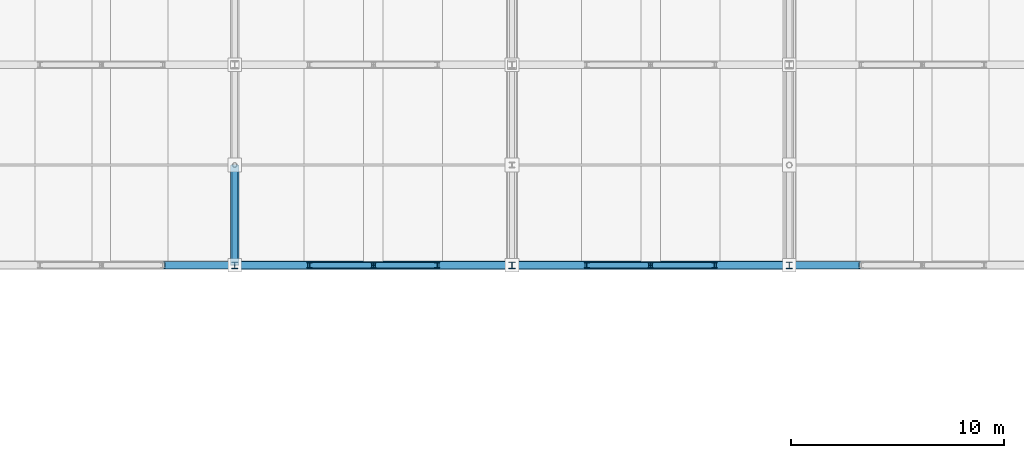
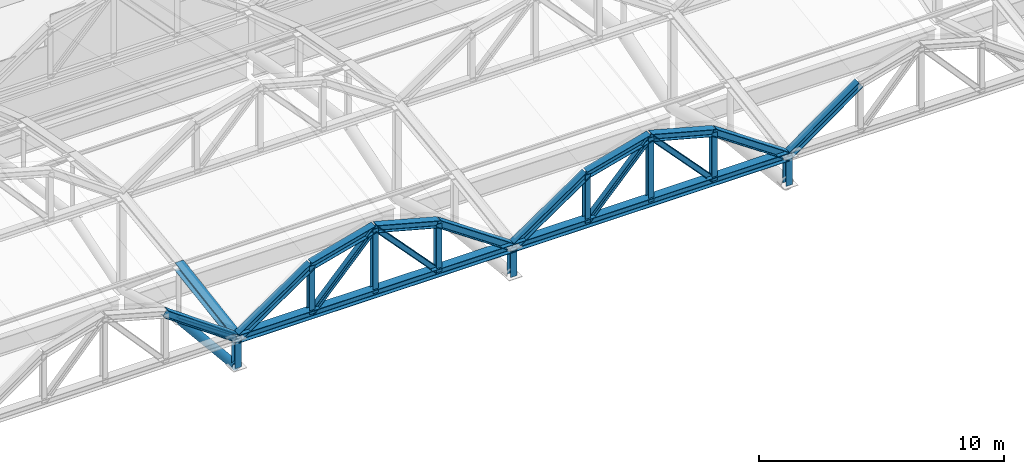
# One storey, part 48 of 117: 28 members.
"""IFC4 building model written with IfcOpenShell, lengths in metres."""

from ifc_helpers import new_model, si_unit, direction, frame, origin, origin_2d, place, context, subcontext, project, spatial, hollow_circle, i_section, extrude, material, material_profile, profile_set, type_object, element, save


model = new_model("IFC4")

# Units and contexts
model_context = context("Model", 3, precision=1e-05, world=origin(), true_north=direction((0.0, 1.0)))
body_context = subcontext(model_context, "Body", "Model", "MODEL_VIEW")
ifc_project = project(units=[si_unit("LENGTHUNIT", "METRE"), si_unit("AREAUNIT", "SQUARE_METRE"), si_unit("VOLUMEUNIT", "CUBIC_METRE"), si_unit("PLANEANGLEUNIT", "RADIAN"), si_unit("MASSUNIT", "GRAM", prefix="KILO")], contexts=[model_context])

# Site, building, storey
site_placement = place(None, origin())
site = spatial("IfcSite", under=ifc_project, at=site_placement, CompositionType="ELEMENT")
building_placement = place(site_placement, origin())
building = spatial("IfcBuilding", under=site, at=building_placement, Name="Kazenohara Klinker Stadium", CompositionType="ELEMENT")
storey_placement = place(building_placement, frame((0.0, 0.0, 31.199951171875)))
storey = spatial("IfcBuildingStorey", under=building, at=storey_placement, Name="RF", CompositionType="ELEMENT", Elevation=31.199951171875)

# Members
ifc_material = material(Name="Steel S355", Category="steel")
ifc_material_profile_1 = material_profile(ifc_material, i_section(OverallWidth=0.25, OverallDepth=0.25, WebThickness=0.009033203125, FlangeThickness=0.013916015625, FilletRadius=0.012939453125, at=origin_2d()), Name="H-250x250x9x14")
ifc_profile_set_1 = profile_set([ifc_material_profile_1], Name="Steel S355")
member_type_1 = type_object("IfcMemberType", Name="MEM-BRC02", PredefinedType="BRACE", material=ifc_profile_set_1)
member_1_placement = place(storey_placement, frame((99.0, 127.300048828125, 1.35009765625), z_axis=(0.0, -0.923659284192, 0.383214726655), x_axis=(1.0, 0.0, 0.0)))
element("IfcMember", 1, at=member_1_placement, inside=storey, type_object=member_type_1, Name="ROOF TRUSS RT-N04 web diagonal 5", PredefinedType="BRACE", context=body_context, shape_type="SweptSolid", body=[
    extrude(i_section(OverallWidth=0.25, OverallDepth=0.25, WebThickness=0.009033203125, FlangeThickness=0.013916015625, FilletRadius=0.012939453125, at=origin_2d()), origin(), (0.0, 0.0, 1.0), 5.08837890625),
])
ifc_material_profile_2 = material_profile(ifc_material, i_section(OverallWidth=0.39990234375, OverallDepth=0.39990234375, WebThickness=0.012939453125, FlangeThickness=0.02099609375, FilletRadius=0.02197265625, at=origin_2d()), Name="H-400x400x13x21")
ifc_profile_set_2 = profile_set([ifc_material_profile_2], Name="Steel S355")
member_type_2 = type_object("IfcMemberType", Name="MEM-CHD01", PredefinedType="CHORD", material=ifc_profile_set_2)
member_2_placement = place(storey_placement, frame((99.0, 127.300048828125, 4.050048828125), z_axis=(0.0, -0.987505848374, -0.157582357602), x_axis=(1.0, 0.0, 0.0)))
element("IfcMember", 2, at=member_2_placement, inside=storey, type_object=member_type_2, Name="ROOF TRUSS RT-N04 top arched chord 5", PredefinedType="CHORD", context=body_context, shape_type="SweptSolid", body=[
    extrude(i_section(OverallWidth=0.39990234375, OverallDepth=0.39990234375, WebThickness=0.012939453125, FlangeThickness=0.02099609375, FilletRadius=0.02197265625, at=origin_2d()), origin(), (0.0, 0.0, 1.0), 4.759521484375),
])
for number, where, z_axis, x_axis, name in (
    (3, (99.0, 122.60009765625, 3.300048828125), (1.0, 0.0, 0.0), (0.0, 1.0, 0.0), "Inner tension ring chord TC01 segment 12"),
    (4, (112.0, 122.60009765625, 3.300048828125), (1.0, 0.0, 0.0), (0.0, 1.0, 0.0), "Inner tension ring chord TC01 segment 13"),
):
    element("IfcMember", number, at=place(storey_placement, frame(where, z_axis=z_axis, x_axis=x_axis)), inside=storey, type_object=member_type_2, Name=name, PredefinedType="CHORD", context=body_context, shape_type="SweptSolid", body=[
        extrude(i_section(OverallWidth=0.39990234375, OverallDepth=0.39990234375, WebThickness=0.012939453125, FlangeThickness=0.02099609375, FilletRadius=0.02197265625, at=origin_2d()), origin(), (0.0, 0.0, 1.0), 13.0),
    ])
ifc_material_profile_3 = material_profile(ifc_material, i_section(OverallWidth=0.35009765625, OverallDepth=0.35009765625, WebThickness=0.011962890625, FlangeThickness=0.01904296875, FilletRadius=0.012939453125, at=origin_2d()), Name="H-350x350x12x19")
ifc_profile_set_3 = profile_set([ifc_material_profile_3], Name="Steel S355")
member_type_3 = type_object("IfcMemberType", Name="MEM-CHD02", PredefinedType="CHORD", material=ifc_profile_set_3)
member_3_placement = place(storey_placement, frame((95.625, 122.60009765625, 5.699951171875), z_axis=(0.814966461491, 0.0, -0.579508124744), x_axis=(0.0, 1.0, 0.0)))
element("IfcMember", 5, at=member_3_placement, inside=storey, type_object=member_type_3, Name="Barrel arch top rib TC02 N-03-N5-S4", PredefinedType="CHORD", context=body_context, shape_type="SweptSolid", body=[
    extrude(i_section(OverallWidth=0.35009765625, OverallDepth=0.35009765625, WebThickness=0.011962890625, FlangeThickness=0.01904296875, FilletRadius=0.012939453125, at=origin_2d()), origin(), (0.0, 0.0, 1.0), 4.141357421875),
])
member_4_placement = place(storey_placement, frame((99.0, 122.60009765625, 3.300048828125), z_axis=(0.825491711615, 0.0, 0.56441423977), x_axis=(0.0, 1.0, 0.0)))
element("IfcMember", 6, at=member_4_placement, inside=storey, type_object=member_type_3, Name="Barrel arch top rib TC02 N-04-N5-S1", PredefinedType="CHORD", context=body_context, shape_type="SweptSolid", body=[
    extrude(i_section(OverallWidth=0.35009765625, OverallDepth=0.35009765625, WebThickness=0.011962890625, FlangeThickness=0.01904296875, FilletRadius=0.012939453125, at=origin_2d()), origin(), (0.0, 0.0, 1.0), 4.251953125),
])
for number, where, z_axis, x_axis, name in (
    (7, (102.510009765625, 122.60009765625, 5.699951171875), (0.966015959624, 0.0, 0.258482428324), (0.0, 1.0, 0.0), "Barrel arch top rib TC02 N-04-N5-S2"),
    (8, (105.5, 122.60009765625, 6.5), (0.966015959624, 0.0, -0.258482428324), (0.0, 1.0, 0.0), "Barrel arch top rib TC02 N-04-N5-S3"),
):
    element("IfcMember", number, at=place(storey_placement, frame(where, z_axis=z_axis, x_axis=x_axis)), inside=storey, type_object=member_type_3, Name=name, PredefinedType="CHORD", context=body_context, shape_type="SweptSolid", body=[
        extrude(i_section(OverallWidth=0.35009765625, OverallDepth=0.35009765625, WebThickness=0.011962890625, FlangeThickness=0.01904296875, FilletRadius=0.012939453125, at=origin_2d()), origin(), (0.0, 0.0, 1.0), 3.09521484375),
    ])
for number, where, z_axis, x_axis, name in (
    (9, (108.489990234375, 122.60009765625, 5.699951171875), (0.825491711615, 0.0, -0.56441423977), (0.0, 1.0, 0.0), "Barrel arch top rib TC02 N-04-N5-S4"),
    (10, (112.0, 122.60009765625, 3.300048828125), (0.825491711615, 0.0, 0.56441423977), (0.0, 1.0, 0.0), "Barrel arch top rib TC02 N-05-N5-S1"),
):
    element("IfcMember", number, at=place(storey_placement, frame(where, z_axis=z_axis, x_axis=x_axis)), inside=storey, type_object=member_type_3, Name=name, PredefinedType="CHORD", context=body_context, shape_type="SweptSolid", body=[
        extrude(i_section(OverallWidth=0.35009765625, OverallDepth=0.35009765625, WebThickness=0.011962890625, FlangeThickness=0.01904296875, FilletRadius=0.012939453125, at=origin_2d()), origin(), (0.0, 0.0, 1.0), 4.251953125),
    ])
for number, where, z_axis, x_axis, name in (
    (11, (115.510009765625, 122.60009765625, 5.699951171875), (0.966015959624, 0.0, 0.258482428324), (0.0, 1.0, 0.0), "Barrel arch top rib TC02 N-05-N5-S2"),
    (12, (118.5, 122.60009765625, 6.5), (0.966015959624, 0.0, -0.258482428324), (0.0, 1.0, 0.0), "Barrel arch top rib TC02 N-05-N5-S3"),
):
    element("IfcMember", number, at=place(storey_placement, frame(where, z_axis=z_axis, x_axis=x_axis)), inside=storey, type_object=member_type_3, Name=name, PredefinedType="CHORD", context=body_context, shape_type="SweptSolid", body=[
        extrude(i_section(OverallWidth=0.35009765625, OverallDepth=0.35009765625, WebThickness=0.011962890625, FlangeThickness=0.01904296875, FilletRadius=0.012939453125, at=origin_2d()), origin(), (0.0, 0.0, 1.0), 3.09521484375),
    ])
member_5_placement = place(storey_placement, frame((121.489990234375, 122.60009765625, 5.699951171875), z_axis=(0.825491711615, 0.0, -0.56441423977), x_axis=(0.0, 1.0, 0.0)))
element("IfcMember", 13, at=member_5_placement, inside=storey, type_object=member_type_3, Name="Barrel arch top rib TC02 N-05-N5-S4", PredefinedType="CHORD", context=body_context, shape_type="SweptSolid", body=[
    extrude(i_section(OverallWidth=0.35009765625, OverallDepth=0.35009765625, WebThickness=0.011962890625, FlangeThickness=0.01904296875, FilletRadius=0.012939453125, at=origin_2d()), origin(), (0.0, 0.0, 1.0), 4.251953125),
])
member_6_placement = place(storey_placement, frame((125.0, 122.60009765625, 3.300048828125), z_axis=(0.814966461491, 0.0, 0.579508124744), x_axis=(0.0, 1.0, 0.0)))
element("IfcMember", 14, at=member_6_placement, inside=storey, type_object=member_type_3, Name="Barrel arch top rib TC02 N-06-N5-S1", PredefinedType="CHORD", context=body_context, shape_type="SweptSolid", body=[
    extrude(i_section(OverallWidth=0.35009765625, OverallDepth=0.35009765625, WebThickness=0.011962890625, FlangeThickness=0.01904296875, FilletRadius=0.012939453125, at=origin_2d()), origin(), (0.0, 0.0, 1.0), 4.141357421875),
])
ifc_material_profile_4 = material_profile(ifc_material, hollow_circle(Radius=0.203125, WallThickness=0.011962890625, at=origin_2d()), Name="CHS-406.4x12")
ifc_profile_set_4 = profile_set([ifc_material_profile_4], Name="Steel S355")
member_type_4 = type_object("IfcMemberType", Name="MEM-CHD03", PredefinedType="CHORD", material=ifc_profile_set_4)
member_7_placement = place(storey_placement, frame((99.0, 127.300048828125, 1.35009765625), z_axis=(0.0, -0.99438879757, 0.105787141313), x_axis=(1.0, 0.0, 0.0)))
element("IfcMember", 15, at=member_7_placement, inside=storey, type_object=member_type_4, Name="ROOF TRUSS RT-N04 bottom arched chord 5", PredefinedType="CHORD", context=body_context, shape_type="SweptSolid", body=[
    extrude(hollow_circle(Radius=0.203125, WallThickness=0.011962890625, at=origin_2d()), origin(), (0.0, 0.0, 1.0), 4.7265625),
])
ifc_material_profile_5 = material_profile(ifc_material, i_section(OverallWidth=0.300048828125, OverallDepth=0.300048828125, WebThickness=0.010009765625, FlangeThickness=0.014892578125, FilletRadius=0.012939453125, at=origin_2d()), Name="H-300x300x10x15")
ifc_profile_set_5 = profile_set([ifc_material_profile_5], Name="Steel S355")
member_type_5 = type_object("IfcMemberType", Name="MEM-STR01", PredefinedType="STRUT", material=ifc_profile_set_5)
for number, where, z_axis, x_axis, name in (
    (16, (99.0, 122.60009765625, 1.85009765625), (0.0, 0.0, 1.0), (1.0, 0.0, 0.0), "ROOF TRUSS RT-N04 web post 6"),
    (17, (112.0, 122.60009765625, 1.85009765625), (0.0, 0.0, 1.0), (1.0, 0.0, 0.0), "ROOF TRUSS RT-N05 web post 6"),
    (18, (125.0, 122.60009765625, 1.85009765625), (0.0, 0.0, 1.0), (1.0, 0.0, 0.0), "ROOF TRUSS RT-N06 web post 6"),
):
    element("IfcMember", number, at=place(storey_placement, frame(where, z_axis=z_axis, x_axis=x_axis)), inside=storey, type_object=member_type_5, Name=name, PredefinedType="STRUT", context=body_context, shape_type="SweptSolid", body=[
        extrude(i_section(OverallWidth=0.300048828125, OverallDepth=0.300048828125, WebThickness=0.010009765625, FlangeThickness=0.014892578125, FilletRadius=0.012939453125, at=origin_2d()), origin(), (0.0, 0.0, 1.0), 1.449951171875),
    ])
ifc_material_profile_6 = material_profile(ifc_material, i_section(OverallWidth=0.25, OverallDepth=0.25, WebThickness=0.009033203125, FlangeThickness=0.013916015625, FilletRadius=0.012939453125, at=origin_2d()), Name="H-250x250x9x14")
ifc_profile_set_6 = profile_set([ifc_material_profile_6], Name="Steel S355")
member_type_6 = type_object("IfcMemberType", Name="MEM-STR02", PredefinedType="STRUT", material=ifc_profile_set_6)
member_8_placement = place(storey_placement, frame((102.510009765625, 122.60009765625, 3.300048828125), z_axis=(0.0, 0.0, 1.0), x_axis=(1.0, 0.0, 0.0)))
element("IfcMember", 19, at=member_8_placement, inside=storey, type_object=member_type_6, Name="Barrel arch web post TS02 N-04-N5-P1", PredefinedType="STRUT", context=body_context, shape_type="SweptSolid", body=[
    extrude(i_section(OverallWidth=0.25, OverallDepth=0.25, WebThickness=0.009033203125, FlangeThickness=0.013916015625, FilletRadius=0.012939453125, at=origin_2d()), origin(), (0.0, 0.0, 1.0), 2.39990234375),
])
member_9_placement = place(storey_placement, frame((105.5, 122.60009765625, 3.300048828125), z_axis=(0.0, 0.0, 1.0), x_axis=(1.0, 0.0, 0.0)))
element("IfcMember", 20, at=member_9_placement, inside=storey, type_object=member_type_6, Name="Barrel arch web post TS02 N-04-N5-P2", PredefinedType="STRUT", context=body_context, shape_type="SweptSolid", body=[
    extrude(i_section(OverallWidth=0.25, OverallDepth=0.25, WebThickness=0.009033203125, FlangeThickness=0.013916015625, FilletRadius=0.012939453125, at=origin_2d()), origin(), (0.0, 0.0, 1.0), 3.199951171875),
])
member_10_placement = place(storey_placement, frame((108.489990234375, 122.60009765625, 3.300048828125), z_axis=(0.0, 0.0, 1.0), x_axis=(1.0, 0.0, 0.0)))
element("IfcMember", 21, at=member_10_placement, inside=storey, type_object=member_type_6, Name="Barrel arch web post TS02 N-04-N5-P3", PredefinedType="STRUT", context=body_context, shape_type="SweptSolid", body=[
    extrude(i_section(OverallWidth=0.25, OverallDepth=0.25, WebThickness=0.009033203125, FlangeThickness=0.013916015625, FilletRadius=0.012939453125, at=origin_2d()), origin(), (0.0, 0.0, 1.0), 2.39990234375),
])
for number, where, z_axis, x_axis, name in (
    (22, (102.510009765625, 122.60009765625, 3.300048828125), (0.682729290589, 0.0, 0.730671414366), (0.0, 1.0, 0.0), "Barrel arch web diagonal TS02 N-04-N5-D1"),
    (23, (108.489990234375, 122.60009765625, 3.300048828125), (-0.682729290589, 0.0, 0.730671414366), (0.0, -1.0, 0.0), "Barrel arch web diagonal TS02 N-04-N5-D2"),
):
    element("IfcMember", number, at=place(storey_placement, frame(where, z_axis=z_axis, x_axis=x_axis)), inside=storey, type_object=member_type_6, Name=name, PredefinedType="STRUT", context=body_context, shape_type="SweptSolid", body=[
        extrude(i_section(OverallWidth=0.25, OverallDepth=0.25, WebThickness=0.009033203125, FlangeThickness=0.013916015625, FilletRadius=0.012939453125, at=origin_2d()), origin(), (0.0, 0.0, 1.0), 4.37939453125),
    ])
member_11_placement = place(storey_placement, frame((115.510009765625, 122.60009765625, 3.300048828125), z_axis=(0.0, 0.0, 1.0), x_axis=(1.0, 0.0, 0.0)))
element("IfcMember", 24, at=member_11_placement, inside=storey, type_object=member_type_6, Name="Barrel arch web post TS02 N-05-N5-P1", PredefinedType="STRUT", context=body_context, shape_type="SweptSolid", body=[
    extrude(i_section(OverallWidth=0.25, OverallDepth=0.25, WebThickness=0.009033203125, FlangeThickness=0.013916015625, FilletRadius=0.012939453125, at=origin_2d()), origin(), (0.0, 0.0, 1.0), 2.39990234375),
])
member_12_placement = place(storey_placement, frame((118.5, 122.60009765625, 3.300048828125), z_axis=(0.0, 0.0, 1.0), x_axis=(1.0, 0.0, 0.0)))
element("IfcMember", 25, at=member_12_placement, inside=storey, type_object=member_type_6, Name="Barrel arch web post TS02 N-05-N5-P2", PredefinedType="STRUT", context=body_context, shape_type="SweptSolid", body=[
    extrude(i_section(OverallWidth=0.25, OverallDepth=0.25, WebThickness=0.009033203125, FlangeThickness=0.013916015625, FilletRadius=0.012939453125, at=origin_2d()), origin(), (0.0, 0.0, 1.0), 3.199951171875),
])
member_13_placement = place(storey_placement, frame((121.489990234375, 122.60009765625, 3.300048828125), z_axis=(0.0, 0.0, 1.0), x_axis=(1.0, 0.0, 0.0)))
element("IfcMember", 26, at=member_13_placement, inside=storey, type_object=member_type_6, Name="Barrel arch web post TS02 N-05-N5-P3", PredefinedType="STRUT", context=body_context, shape_type="SweptSolid", body=[
    extrude(i_section(OverallWidth=0.25, OverallDepth=0.25, WebThickness=0.009033203125, FlangeThickness=0.013916015625, FilletRadius=0.012939453125, at=origin_2d()), origin(), (0.0, 0.0, 1.0), 2.39990234375),
])
for number, where, z_axis, x_axis, name in (
    (27, (115.510009765625, 122.60009765625, 3.300048828125), (0.682729290589, 0.0, 0.730671414366), (0.0, 1.0, 0.0), "Barrel arch web diagonal TS02 N-05-N5-D1"),
    (28, (121.489990234375, 122.60009765625, 3.300048828125), (-0.682729290589, 0.0, 0.730671414366), (0.0, -1.0, 0.0), "Barrel arch web diagonal TS02 N-05-N5-D2"),
):
    element("IfcMember", number, at=place(storey_placement, frame(where, z_axis=z_axis, x_axis=x_axis)), inside=storey, type_object=member_type_6, Name=name, PredefinedType="STRUT", context=body_context, shape_type="SweptSolid", body=[
        extrude(i_section(OverallWidth=0.25, OverallDepth=0.25, WebThickness=0.009033203125, FlangeThickness=0.013916015625, FilletRadius=0.012939453125, at=origin_2d()), origin(), (0.0, 0.0, 1.0), 4.37939453125),
    ])

save(model, "model.ifc")
